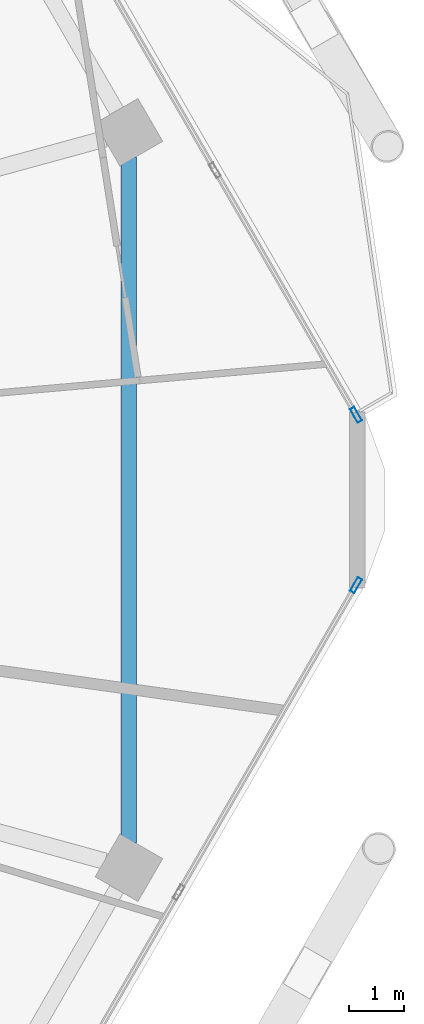
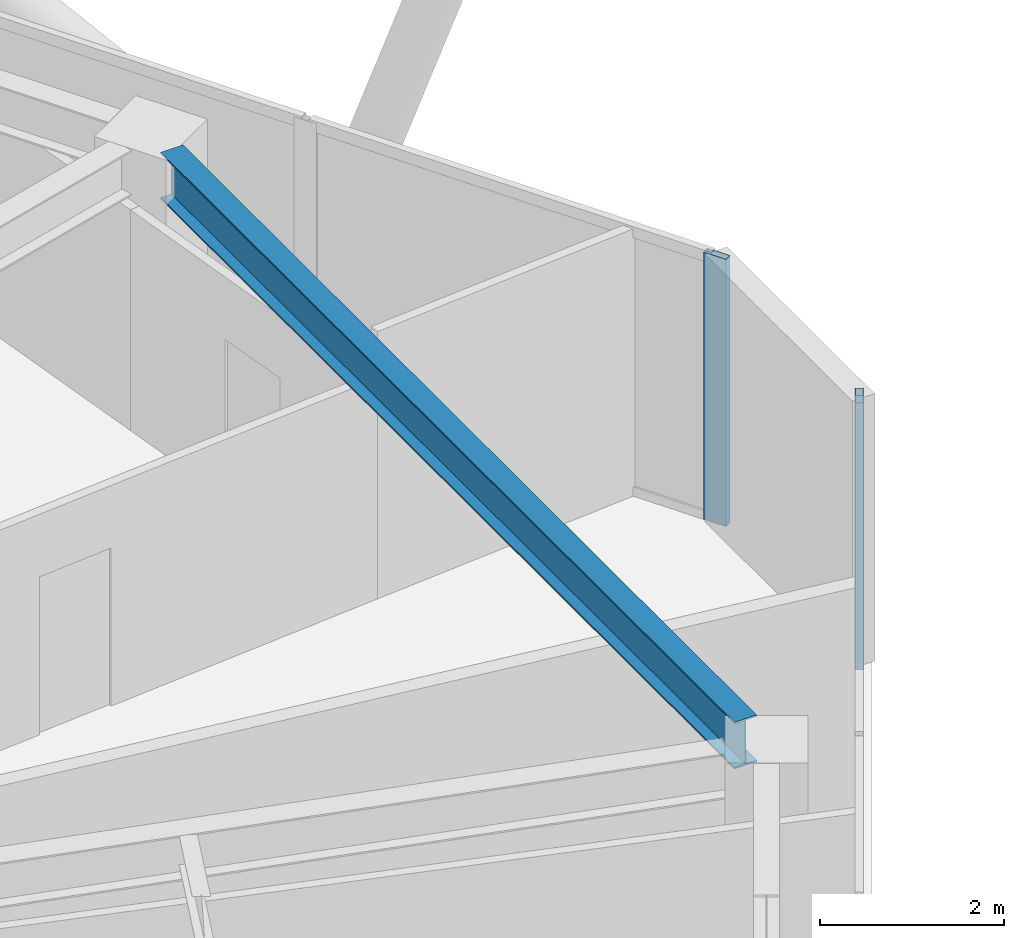
# One storey, part 11 of 27: 2 members, 1 beam, 2 elements without a shape of their own.
"""IFC4 building model written with IfcOpenShell, lengths in metres."""

from ifc_helpers import new_model, si_unit, direction, frame, origin, origin_2d, place, context, subcontext, project, spatial, hollow_rectangle, i_section, extrude, material, material_profile, profile_set, type_object, element, aggregate, save


model = new_model("IFC4")

# Units and contexts
model_context = context("Model", 3, precision=1e-05, world=origin(), true_north=direction((0.0, 1.0)))
body_context = subcontext(model_context, "Body", "Model", "MODEL_VIEW")
ifc_project = project(units=[si_unit("LENGTHUNIT", "METRE"), si_unit("AREAUNIT", "SQUARE_METRE"), si_unit("VOLUMEUNIT", "CUBIC_METRE"), si_unit("PLANEANGLEUNIT", "RADIAN"), si_unit("MASSUNIT", "GRAM", prefix="KILO")], contexts=[model_context])

# Site, building, storey
site_placement = place(None, origin())
site = spatial("IfcSite", under=ifc_project, at=site_placement, CompositionType="ELEMENT")
building_placement = place(site_placement, origin())
building = spatial("IfcBuilding", under=site, at=building_placement, Name="Zuhravey Tower", CompositionType="ELEMENT")
storey_placement = place(building_placement, frame((0.0, 0.0, 238.800048828125)))
storey = spatial("IfcBuildingStorey", under=building, at=storey_placement, Name="L60", CompositionType="ELEMENT", Elevation=238.800048828125)

# Curtain wall, member
ifc_material_1 = material(Name="Thermally broken anodised aluminium", Category="aluminium")
curtain_wall_type = type_object("IfcCurtainWallType", Name="Zone 3-4 High-Rise Curtain Wall CW4", PredefinedType="NOTDEFINED", material=ifc_material_1)
curtain_wall_1_placement = place(storey_placement, origin())
curtain_wall_1 = element("IfcCurtainWall", 1, at=curtain_wall_1_placement, inside=storey, type_object=curtain_wall_type, Name="L60 CW4 CW-L60-F6-1", PredefinedType="NOTDEFINED")
ifc_material_2 = material(Name="Anodised aluminium", Category="aluminium")
ifc_material_profile_1 = material_profile(ifc_material_2, hollow_rectangle(XDim=0.090087890625, YDim=0.284912109375, WallThickness=0.0048828125, at=origin_2d()), Name="ALU-RHS-90x285x5")
ifc_profile_set_1 = profile_set([ifc_material_profile_1], Name="Anodised aluminium")
member_type = type_object("IfcMemberType", Name="Curtain-Wall Mullion 90x180", PredefinedType="MULLION", material=ifc_profile_set_1)
member_1_placement = place(storey_placement, frame((64.62255859375, 30.448486328125, 0.0), z_axis=(0.0, 0.0, 1.0), x_axis=(0.866024851021, -0.500000957414, 0.0)))
member_1 = element("IfcMember", 2, at=member_1_placement, type_object=member_type, Name="CW4 mullion 1", PredefinedType="MULLION", context=body_context, shape_type="SweptSolid", body=[
    extrude(hollow_rectangle(XDim=0.090087890625, YDim=0.284912109375, WallThickness=0.0048828125, at=origin_2d()), origin(), (0.0, 0.0, 1.0), 3.550048828125),
])
aggregate(curtain_wall_1, [member_1])

curtain_wall_2_placement = place(storey_placement, origin())
curtain_wall_2 = element("IfcCurtainWall", 3, at=curtain_wall_2_placement, inside=storey, type_object=curtain_wall_type, Name="L60 CW4 CW-L60-F1-2", PredefinedType="NOTDEFINED")
member_2_placement = place(storey_placement, frame((64.62255859375, 33.551513671875, 0.0), z_axis=(0.0, 0.0, 1.0), x_axis=(0.866024178465, 0.50000212231, 0.0)))
member_2 = element("IfcMember", 4, at=member_2_placement, type_object=member_type, Name="CW4 mullion 5", PredefinedType="MULLION", context=body_context, shape_type="SweptSolid", body=[
    extrude(hollow_rectangle(XDim=0.090087890625, YDim=0.284912109375, WallThickness=0.0048828125, at=origin_2d()), origin(), (0.0, 0.0, 1.0), 3.550048828125),
])
aggregate(curtain_wall_2, [member_2])

# Beam
ifc_material_3 = material(Name="Steel SM355", Category="steel")
ifc_material_profile_2 = material_profile(ifc_material_3, i_section(OverallWidth=0.280029296875, OverallDepth=0.6201171875, WebThickness=0.011962890625, FlangeThickness=0.02001953125, at=origin_2d()), Name="H-620x280x12x20")
ifc_profile_set_2 = profile_set([ifc_material_profile_2], Name="Steel SM355")
beam_type = type_object("IfcBeamType", Name="Perimeter Ring Beam H620x280", PredefinedType="BEAM", material=ifc_profile_set_2)
beam_placement = place(storey_placement, frame((60.484619140625, 25.754150390625, 3.239990234375), z_axis=(0.0, 1.0, 0.0), x_axis=(-1.0, 0.0, 0.0)))
element("IfcBeam", 5, at=beam_placement, inside=storey, type_object=beam_type, Name="L60 PB3 BM-L60-PB-12", PredefinedType="BEAM", context=body_context, shape_type="SweptSolid", body=[
    extrude(i_section(OverallWidth=0.280029296875, OverallDepth=0.6201171875, WebThickness=0.011962890625, FlangeThickness=0.02001953125, at=origin_2d()), origin(), (0.0, 0.0, 1.0), 12.49169921875),
])

save(model, "model.ifc")
